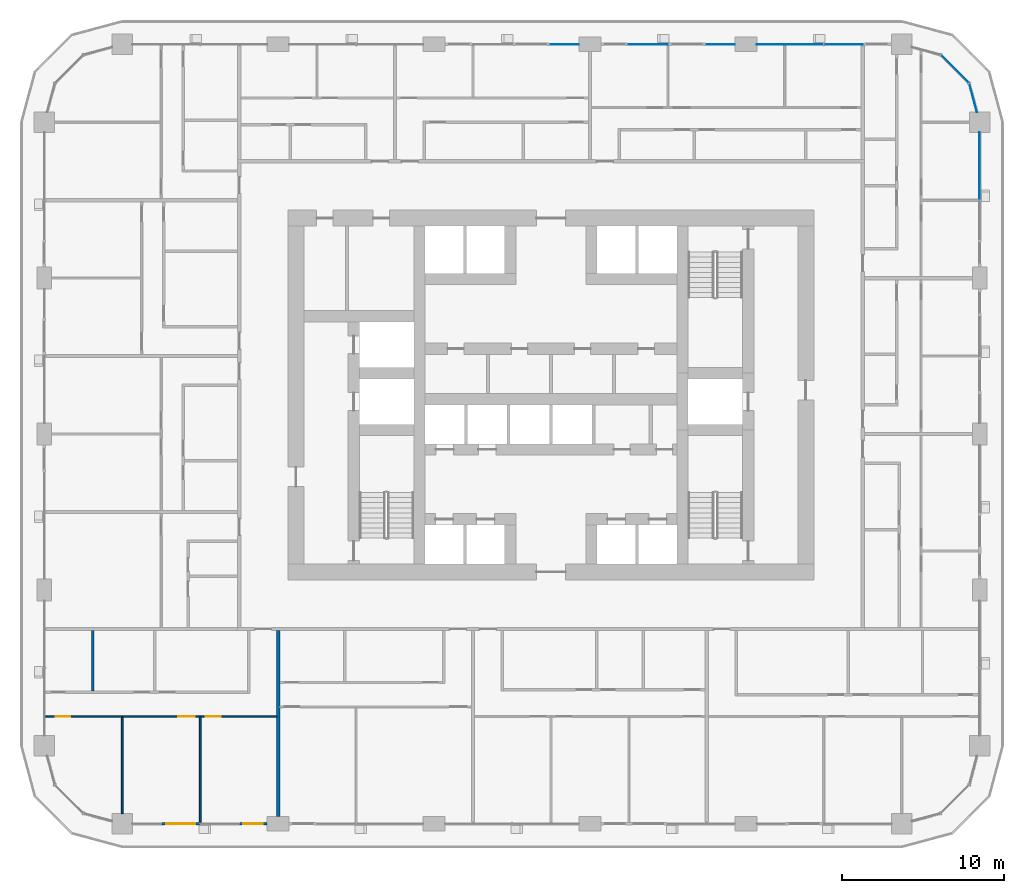
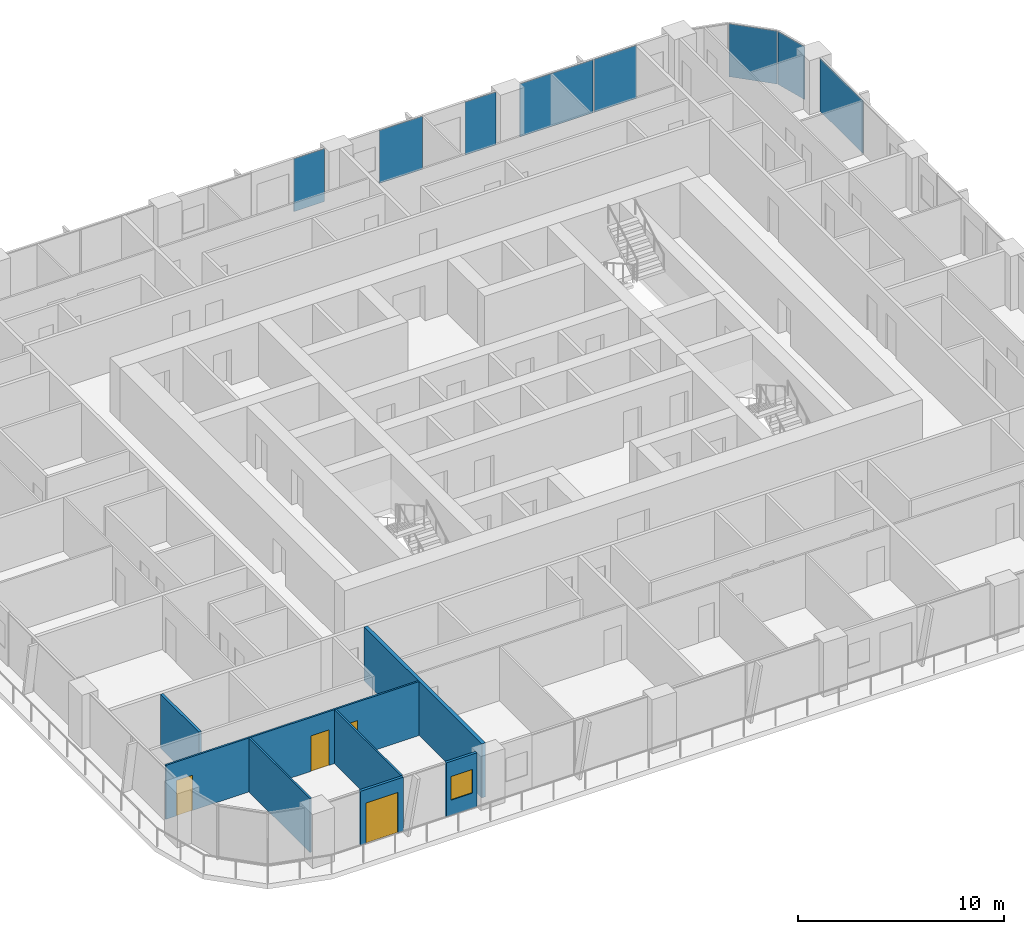
# One storey, part 8 of 21: 8 plates, 7 walls, 4 doors, 1 window, 5 openings, 5 elements without a shape of their own.
"""IFC4 building model written with IfcOpenShell, lengths in metres."""

from ifc_helpers import new_model, si_unit, direction, frame, frame_2d, origin, origin_2d, place, context, subcontext, project, spatial, rectangle, extrude, material, layer, layer_set, type_object, element, fill, aggregate, save


model = new_model("IFC4")

# Units and contexts
model_context = context("Model", 3, precision=1e-05, world=origin(), true_north=direction((0.0, 1.0)))
body_context = subcontext(model_context, "Body", "Model", "MODEL_VIEW")
ifc_project = project(units=[si_unit("LENGTHUNIT", "METRE"), si_unit("AREAUNIT", "SQUARE_METRE"), si_unit("VOLUMEUNIT", "CUBIC_METRE"), si_unit("PLANEANGLEUNIT", "RADIAN"), si_unit("MASSUNIT", "GRAM", prefix="KILO")], contexts=[model_context])

# Site, building, storey
site_placement = place(None, origin())
site = spatial("IfcSite", under=ifc_project, at=site_placement, CompositionType="ELEMENT")
building_placement = place(site_placement, origin())
building = spatial("IfcBuilding", under=site, at=building_placement, Name="Madar Terraces", CompositionType="ELEMENT")
storey_placement = place(building_placement, frame((0.0, 0.0, 46.89990234375)))
storey = spatial("IfcBuildingStorey", under=building, at=storey_placement, Name="L11", CompositionType="ELEMENT", Elevation=46.89990234375)

# Curtain wall, plate
ifc_material_1 = material(Name="Glass, ceramic frit dark grey, with black aluminium frame", Category="aluminium")
ifc_layer_1 = layer(ifc_material_1, 0.199951171875)
ifc_layer_set_1 = layer_set([ifc_layer_1], Name="Facade curtain wall, fritted glass")
curtain_wall_type = type_object("IfcCurtainWallType", Name="Facade curtain wall, fritted glass", PredefinedType="NOTDEFINED", material=ifc_layer_set_1)
curtain_wall_1_placement = place(storey_placement, origin())
curtain_wall_1 = element("IfcCurtainWall", 1, at=curtain_wall_1_placement, inside=storey, type_object=curtain_wall_type, Name="Outer skin curtain wall east bay 4", PredefinedType="NOTDEFINED")
ifc_material_2 = material(Name="Glass, ceramic frit dark grey", Category="glass")
ifc_layer_2 = layer(ifc_material_2, 0.028076171875)
ifc_layer_set_2 = layer_set([ifc_layer_2], Name="Facade glass panel 28")
plate_type = type_object("IfcPlateType", Name="Facade glass panel 28", PredefinedType="CURTAIN_PANEL", material=ifc_layer_set_2)
plate_1_placement = place(storey_placement, frame((57.60009765625, 40.50244140625, 0.0), z_axis=(0.0, 0.0, 1.0), x_axis=(0.0, 1.0, 0.0)))
plate_1 = element("IfcPlate", 2, at=plate_1_placement, type_object=plate_type, Name="Panel 2", PredefinedType="CURTAIN_PANEL", context=body_context, shape_type="SweptSolid", body=[
    extrude(rectangle(XDim=4.14501953125, YDim=0.028076171875, at=origin_2d()), origin(), (0.0, 0.0, 1.0), 3.139892578125),
])
aggregate(curtain_wall_1, [plate_1])

# Curtain wall, plates
curtain_wall_2_placement = place(storey_placement, origin())
curtain_wall_2 = element("IfcCurtainWall", 3, at=curtain_wall_2_placement, inside=storey, type_object=curtain_wall_type, Name="Outer skin curtain wall north bay 1", PredefinedType="NOTDEFINED")
plate_2_placement = place(storey_placement, frame((49.215087890625, 48.0, 0.0), z_axis=(0.0, 0.0, 1.0), x_axis=(-1.0, 0.0, 0.0)))
plate_2 = element("IfcPlate", 4, at=plate_2_placement, type_object=plate_type, Name="Panel 1", PredefinedType="CURTAIN_PANEL", context=body_context, shape_type="SweptSolid", body=[
    extrude(rectangle(XDim=2.3701171875, YDim=0.028076171875, at=origin_2d()), origin(), (0.0, 0.0, 1.0), 3.139892578125),
])
plate_3_placement = place(storey_placement, frame((45.922607421875, 48.0, 0.0), z_axis=(0.0, 0.0, 1.0), x_axis=(-1.0, 0.0, 0.0)))
plate_3 = element("IfcPlate", 5, at=plate_3_placement, type_object=plate_type, Name="Panel 2", PredefinedType="CURTAIN_PANEL", context=body_context, shape_type="SweptSolid", body=[
    extrude(rectangle(XDim=4.094970703125, YDim=0.028076171875, at=origin_2d()), origin(), (0.0, 0.0, 1.0), 3.139892578125),
])
aggregate(curtain_wall_2, [plate_2, plate_3])

curtain_wall_3_placement = place(storey_placement, origin())
curtain_wall_3 = element("IfcCurtainWall", 6, at=curtain_wall_3_placement, inside=storey, type_object=curtain_wall_type, Name="Outer skin curtain wall north bay 2", PredefinedType="NOTDEFINED")
plate_4_placement = place(storey_placement, frame((41.66259765625, 48.0, 0.0), z_axis=(0.0, 0.0, 1.0), x_axis=(-1.0, 0.0, 0.0)))
plate_4 = element("IfcPlate", 7, at=plate_4_placement, type_object=plate_type, Name="Panel 1", PredefinedType="CURTAIN_PANEL", context=body_context, shape_type="SweptSolid", body=[
    extrude(rectangle(XDim=1.72509765625, YDim=0.028076171875, at=origin_2d()), origin(), (0.0, 0.0, 1.0), 3.139892578125),
])
plate_5_placement = place(storey_placement, frame((37.199951171875, 48.0, 0.0), z_axis=(0.0, 0.0, 1.0), x_axis=(-1.0, 0.0, 0.0)))
plate_5 = element("IfcPlate", 8, at=plate_5_placement, type_object=plate_type, Name="Panel 2", PredefinedType="CURTAIN_PANEL", context=body_context, shape_type="SweptSolid", body=[
    extrude(rectangle(XDim=2.39990234375, YDim=0.028076171875, at=origin_2d()), origin(), (0.0, 0.0, 1.0), 3.139892578125),
])
aggregate(curtain_wall_3, [plate_4, plate_5])

# Curtain wall, plate
curtain_wall_4_placement = place(storey_placement, origin())
curtain_wall_4 = element("IfcCurtainWall", 9, at=curtain_wall_4_placement, inside=storey, type_object=curtain_wall_type, Name="Outer skin curtain wall north bay 3", PredefinedType="NOTDEFINED")
plate_6_placement = place(storey_placement, frame((32.0625, 48.0, 0.0), z_axis=(0.0, 0.0, 1.0), x_axis=(-1.0, 0.0, 0.0)))
plate_6 = element("IfcPlate", 10, at=plate_6_placement, type_object=plate_type, Name="Panel 1", PredefinedType="CURTAIN_PANEL", context=body_context, shape_type="SweptSolid", body=[
    extrude(rectangle(XDim=1.72509765625, YDim=0.028076171875, at=origin_2d()), origin(), (0.0, 0.0, 1.0), 3.139892578125),
])
aggregate(curtain_wall_4, [plate_6])

# Curtain wall, plates
curtain_wall_5_placement = place(storey_placement, origin())
curtain_wall_5 = element("IfcCurtainWall", 11, at=curtain_wall_5_placement, inside=storey, type_object=curtain_wall_type, Name="Outer skin curtain wall north-east corner", PredefinedType="NOTDEFINED")
plate_7_placement = place(storey_placement, frame((57.19873046875, 44.697998046875, 0.0), z_axis=(0.0, 0.0, 1.0), x_axis=(-0.258819021888, 0.965925832509, 0.0)))
plate_7 = element("IfcPlate", 12, at=plate_7_placement, type_object=plate_type, Name="Panel 1", PredefinedType="CURTAIN_PANEL", context=body_context, shape_type="SweptSolid", body=[
    extrude(rectangle(XDim=1.8076171875, YDim=0.028076171875, at=origin_2d()), origin(), (0.0, 0.0, 1.0), 3.139892578125),
])
plate_8_placement = place(storey_placement, frame((56.078369140625, 46.478515625, 0.0), z_axis=(0.0, 0.0, 1.0), x_axis=(-0.707106781187, 0.707106781187, 0.0)))
plate_8 = element("IfcPlate", 13, at=plate_8_placement, type_object=plate_type, Name="Panel 2", PredefinedType="CURTAIN_PANEL", context=body_context, shape_type="SweptSolid", body=[
    extrude(rectangle(XDim=2.424560546875, YDim=0.028076171875, at=origin_2d()), origin(), (0.0, 0.0, 1.0), 3.139892578125),
])
aggregate(curtain_wall_5, [plate_7, plate_8])

# Wall, opening, door
ifc_material_3 = material(Name="Aluminium composite panel, black, over insulated backing", Category="aluminium")
ifc_layer_3 = layer(ifc_material_3, 0.14990234375)
ifc_layer_set_3 = layer_set([ifc_layer_3], Name="Facade bay panel 150")
wall_type_1 = type_object("IfcWallType", Name="Facade bay panel 150", PredefinedType="SOLIDWALL", material=ifc_layer_set_3)
wall_1_placement = place(storey_placement, frame((7.199951171875, 0.0, 0.0), z_axis=(0.0, 0.0, 1.0), x_axis=(1.0, 0.0, 0.0)))
wall_1 = element("IfcWall", 14, at=wall_1_placement, inside=storey, type_object=wall_type_1, Name="Facade bay panel", PredefinedType="SOLIDWALL", context=body_context, shape_type="SweptSolid", body=[
    extrude(rectangle(XDim=2.400146484375, YDim=0.14990234375, at=frame_2d((1.2001953125, 0.0))), origin(), (0.0, 0.0, 1.0), 3.2001953125),
])
opening_1_placement = place(wall_1_placement, frame((0.300048828125, 0.0, 0.0)))
opening_1 = element("IfcOpeningElement", 15, at=opening_1_placement, cuts=wall_1, Name="Opening ED1", PredefinedType="OPENING", context=body_context, shape_type="SweptSolid", body=[
    extrude(rectangle(XDim=1.800048828125, YDim=2.39990234375, at=frame_2d((0.89990234375, 1.199951171875))), frame((0.0, 0.0849609375, 0.0), z_axis=(0.0, -1.0, 0.0), x_axis=(1.0, 0.0, 0.0)), (0.0, 0.0, 1.0), 0.169921875),
])
ifc_material_4 = material(Name="Glass, clear, with black aluminium frame", Category="aluminium")
door_type_1 = type_object("IfcDoorType", Name="Balcony and terrace sliding door 1800 x 2400", OperationType="SLIDING_TO_LEFT", PredefinedType="DOOR", material=ifc_material_4)
door_1_placement = place(opening_1_placement, origin())
door_1 = element("IfcDoor", 16, at=door_1_placement, inside=storey, type_object=door_type_1, Name="Balcony door", OperationType="SLIDING_TO_LEFT", OverallHeight=2.39990234375, OverallWidth=1.800048828125, PredefinedType="DOOR", context=body_context, shape_type="SweptSolid", body=[
    extrude(rectangle(XDim=1.800048828125, YDim=2.39990234375, at=frame_2d((0.89990234375, 1.199951171875))), frame((0.0, 0.02490234375, 0.0), z_axis=(0.0, -1.0, 0.0), x_axis=(1.0, 0.0, 0.0)), (0.0, 0.0, 1.0), 0.050048828125),
])
fill(opening_1, door_1)

# Wall, opening, window
wall_2_placement = place(storey_placement, frame((12.0, 0.0, 0.0), z_axis=(0.0, 0.0, 1.0), x_axis=(1.0, 0.0, 0.0)))
wall_2 = element("IfcWall", 17, at=wall_2_placement, inside=storey, type_object=wall_type_1, Name="Facade bay panel", PredefinedType="SOLIDWALL", context=body_context, shape_type="SweptSolid", body=[
    extrude(rectangle(XDim=1.72509765625, YDim=0.14990234375, at=frame_2d((0.862548828125, 0.0))), origin(), (0.0, 0.0, 1.0), 3.2001953125),
])
opening_2_placement = place(wall_2_placement, frame((0.262451171875, 0.0, 0.89990234375)))
opening_2 = element("IfcOpeningElement", 18, at=opening_2_placement, cuts=wall_2, Name="Opening W1", PredefinedType="OPENING", context=body_context, shape_type="SweptSolid", body=[
    extrude(rectangle(XDim=1.199951171875, YDim=1.39990234375, at=frame_2d((0.60009765625, 0.699951171875))), frame((0.0, 0.0849609375, 0.0), z_axis=(0.0, -1.0, 0.0), x_axis=(1.0, 0.0, 0.0)), (0.0, 0.0, 1.0), 0.169921875),
])
ifc_material_5 = material(Name="Glass, clear, with black aluminium frame", Category="aluminium")
window_type = type_object("IfcWindowType", Name="Vent window 1200 x 1400", PartitioningType="SINGLE_PANEL", PredefinedType="WINDOW", material=ifc_material_5)
window_placement = place(opening_2_placement, origin())
window = element("IfcWindow", 19, at=window_placement, inside=storey, type_object=window_type, Name="Operable vent window", OverallHeight=1.39990234375, OverallWidth=1.199951171875, PartitioningType="SINGLE_PANEL", PredefinedType="WINDOW", context=body_context, shape_type="SweptSolid", body=[
    extrude(rectangle(XDim=1.199951171875, YDim=1.39990234375, at=frame_2d((0.60009765625, 0.699951171875))), frame((0.0, 0.030029296875, 0.0), z_axis=(0.0, -1.0, 0.0), x_axis=(1.0, 0.0, 0.0)), (0.0, 0.0, 1.0), 0.06005859375),
])
fill(opening_2, window)

# Walls
ifc_material_6 = material(Name="Gypsum board on steel studs", Category="steel")
ifc_layer_4 = layer(ifc_material_6, 0.10009765625)
ifc_layer_set_4 = layer_set([ifc_layer_4], Name="Flat partition 100")
wall_type_2 = type_object("IfcWallType", Name="Flat partition 100", PredefinedType="PARTITIONING", material=ifc_layer_set_4)
wall_3_placement = place(storey_placement, frame((9.60009765625, 6.550048828125, 0.0), z_axis=(0.0, 0.0, 1.0), x_axis=(0.0, -1.0, 0.0)))
element("IfcWall", 20, at=wall_3_placement, inside=storey, type_object=wall_type_2, Name="Flat partition 100", PredefinedType="PARTITIONING", context=body_context, shape_type="SweptSolid", body=[
    extrude(rectangle(XDim=6.449951171875, YDim=0.10009765625, at=frame_2d((3.22509765625, 0.0))), origin(), (0.0, 0.0, 1.0), 3.2001953125),
])
wall_4_placement = place(storey_placement, frame((4.800048828125, 6.550048828125, 0.0), z_axis=(0.0, 0.0, 1.0), x_axis=(0.0, -1.0, 0.0)))
element("IfcWall", 21, at=wall_4_placement, inside=storey, type_object=wall_type_2, Name="Flat partition 100", PredefinedType="PARTITIONING", context=body_context, shape_type="SweptSolid", body=[
    extrude(rectangle(XDim=5.925048828125, YDim=0.10009765625, at=frame_2d((2.96240234375, 0.0))), origin(), (0.0, 0.0, 1.0), 3.2001953125),
])

# Wall, openings, doors
wall_5_placement = place(storey_placement, frame((14.300048828125, 6.60009765625, 0.0), z_axis=(0.0, 0.0, 1.0), x_axis=(-1.0, 0.0, 0.0)))
wall_5 = element("IfcWall", 22, at=wall_5_placement, inside=storey, type_object=wall_type_2, Name="Flat partition 100", PredefinedType="PARTITIONING", context=body_context, shape_type="SweptSolid", body=[
    extrude(rectangle(XDim=14.199951171875, YDim=0.10009765625, at=frame_2d((7.10009765625, 0.0))), origin(), (0.0, 0.0, 1.0), 3.2001953125),
])
opening_3_placement = place(wall_5_placement, frame((3.449951171875, 0.0, 0.0)))
opening_3 = element("IfcOpeningElement", 23, at=opening_3_placement, cuts=wall_5, Name="Opening D2", PredefinedType="OPENING", context=body_context, shape_type="SweptSolid", body=[
    extrude(rectangle(XDim=0.89990234375, YDim=2.10009765625, at=frame_2d((0.449951171875, 1.050048828125))), frame((0.0, 0.06005859375, 0.0), z_axis=(0.0, -1.0, 0.0), x_axis=(1.0, 0.0, 0.0)), (0.0, 0.0, 1.0), 0.1201171875),
])
opening_4_placement = place(wall_5_placement, frame((5.050048828125, 0.0, 0.0)))
opening_4 = element("IfcOpeningElement", 24, at=opening_4_placement, cuts=wall_5, Name="Opening D3", PredefinedType="OPENING", context=body_context, shape_type="SweptSolid", body=[
    extrude(rectangle(XDim=1.0, YDim=2.10009765625, at=frame_2d((0.5, 1.050048828125))), frame((0.0, 0.06005859375, 0.0), z_axis=(0.0, -1.0, 0.0), x_axis=(1.0, 0.0, 0.0)), (0.0, 0.0, 1.0), 0.1201171875),
])
opening_5_placement = place(wall_5_placement, frame((12.699951171875, 0.0, 0.0)))
opening_5 = element("IfcOpeningElement", 25, at=opening_5_placement, cuts=wall_5, Name="Opening D2", PredefinedType="OPENING", context=body_context, shape_type="SweptSolid", body=[
    extrude(rectangle(XDim=0.89990234375, YDim=2.10009765625, at=frame_2d((0.449951171875, 1.050048828125))), frame((0.0, 0.06005859375, 0.0), z_axis=(0.0, -1.0, 0.0), x_axis=(1.0, 0.0, 0.0)), (0.0, 0.0, 1.0), 0.1201171875),
])
ifc_material_7 = material(Name="Timber door leaf", Category="wood")
door_type_2 = type_object("IfcDoorType", Name="Flat living room door 1000", OperationType="NOTDEFINED", PredefinedType="DOOR", material=ifc_material_7)
door_2_placement = place(opening_4_placement, origin())
door_2 = element("IfcDoor", 26, at=door_2_placement, inside=storey, type_object=door_type_2, Name="Flat living room door 1000", OperationType="SINGLE_SWING_LEFT", OverallHeight=2.10009765625, OverallWidth=1.0, PredefinedType="DOOR", context=body_context, shape_type="SweptSolid", body=[
    extrude(rectangle(XDim=1.0, YDim=2.10009765625, at=frame_2d((0.5, 1.050048828125))), frame((0.0, 0.02490234375, 0.0), z_axis=(0.0, -1.0, 0.0), x_axis=(1.0, 0.0, 0.0)), (0.0, 0.0, 1.0), 0.050048828125),
])
fill(opening_4, door_2)
ifc_material_8 = material(Name="Timber door leaf", Category="wood")
door_type_3 = type_object("IfcDoorType", Name="Flat room door 900", OperationType="NOTDEFINED", PredefinedType="DOOR", material=ifc_material_8)
door_3_placement = place(opening_3_placement, origin())
door_3 = element("IfcDoor", 27, at=door_3_placement, inside=storey, type_object=door_type_3, Name="Flat room door 900", OperationType="SINGLE_SWING_RIGHT", OverallHeight=2.10009765625, OverallWidth=0.89990234375, PredefinedType="DOOR", context=body_context, shape_type="SweptSolid", body=[
    extrude(rectangle(XDim=0.89990234375, YDim=2.10009765625, at=frame_2d((0.449951171875, 1.050048828125))), frame((0.0, 0.02490234375, 0.0), z_axis=(0.0, -1.0, 0.0), x_axis=(1.0, 0.0, 0.0)), (0.0, 0.0, 1.0), 0.050048828125),
])
fill(opening_3, door_3)
door_4_placement = place(opening_5_placement, origin())
door_4 = element("IfcDoor", 28, at=door_4_placement, inside=storey, type_object=door_type_3, Name="Flat room door 900", OperationType="SINGLE_SWING_RIGHT", OverallHeight=2.10009765625, OverallWidth=0.89990234375, PredefinedType="DOOR", context=body_context, shape_type="SweptSolid", body=[
    extrude(rectangle(XDim=0.89990234375, YDim=2.10009765625, at=frame_2d((0.449951171875, 1.050048828125))), frame((0.0, 0.02490234375, 0.0), z_axis=(0.0, -1.0, 0.0), x_axis=(1.0, 0.0, 0.0)), (0.0, 0.0, 1.0), 0.050048828125),
])
fill(opening_5, door_4)

# Walls
ifc_material_9 = material(Name="Lightweight blockwork", Category="masonry")
ifc_layer_5 = layer(ifc_material_9, 0.199951171875)
ifc_layer_set_5 = layer_set([ifc_layer_5], Name="Flat party and entrance wall 200")
wall_type_3 = type_object("IfcWallType", Name="Flat party and entrance wall 200", PredefinedType="PARTITIONING", material=ifc_layer_set_5)
wall_6_placement = place(storey_placement, frame((14.39990234375, 11.89990234375, 0.0), z_axis=(0.0, 0.0, 1.0), x_axis=(0.0, -1.0, 0.0)))
element("IfcWall", 29, at=wall_6_placement, inside=storey, type_object=wall_type_3, Name="Flat party and entrance wall 200", PredefinedType="PARTITIONING", context=body_context, shape_type="SweptSolid", body=[
    extrude(rectangle(XDim=11.449951171875, YDim=0.199951171875, at=frame_2d((5.72509765625, 0.0))), origin(), (0.0, 0.0, 1.0), 3.2001953125),
])
ifc_material_10 = material(Name="Lightweight blockwork", Category="masonry")
ifc_layer_6 = layer(ifc_material_10, 0.14990234375)
ifc_layer_set_6 = layer_set([ifc_layer_6], Name="Flat wet-room partition 150")
wall_type_4 = type_object("IfcWallType", Name="Flat wet-room partition 150", PredefinedType="PARTITIONING", material=ifc_layer_set_6)
wall_7_placement = place(storey_placement, frame((2.96728515625, 11.89990234375, 0.0), z_axis=(0.0, 0.0, 1.0), x_axis=(0.0, -1.0, 0.0)))
element("IfcWall", 30, at=wall_7_placement, inside=storey, type_object=wall_type_4, Name="Flat wet-room partition 150", PredefinedType="PARTITIONING", context=body_context, shape_type="SweptSolid", body=[
    extrude(rectangle(XDim=3.724853515625, YDim=0.14990234375, at=frame_2d((1.8623046875, 0.0))), origin(), (0.0, 0.0, 1.0), 3.2001953125),
])

save(model, "model.ifc")
